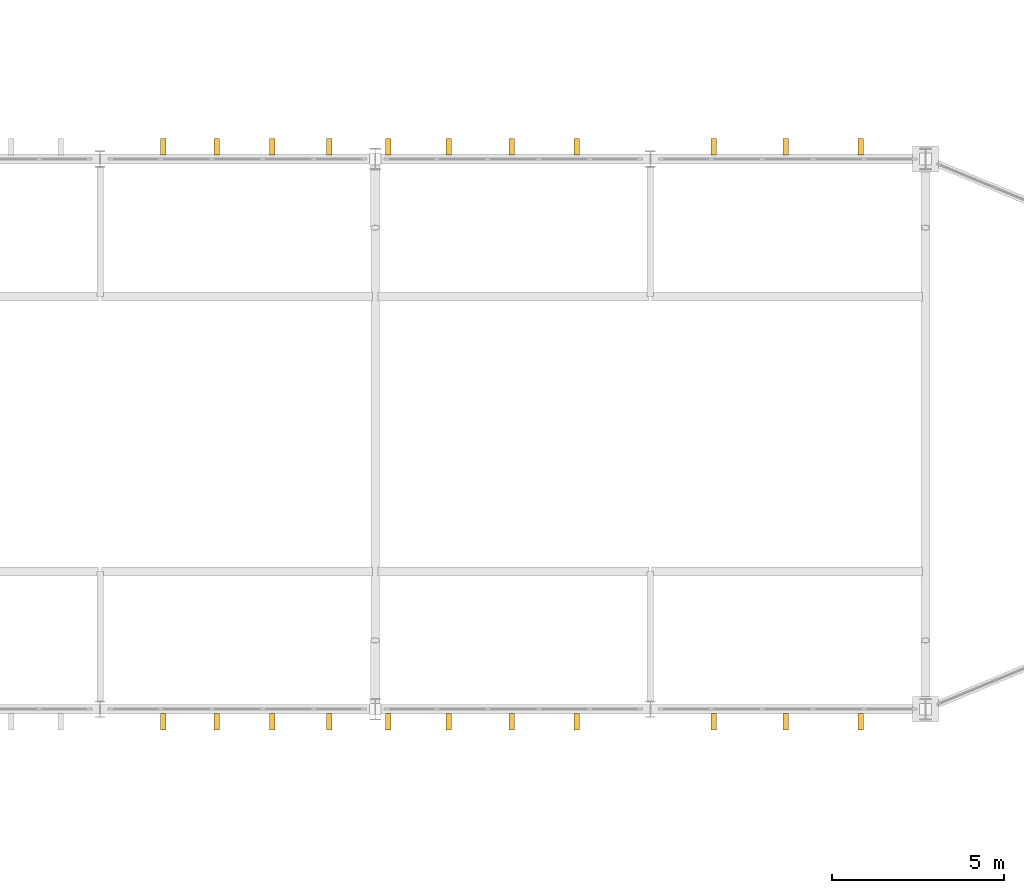
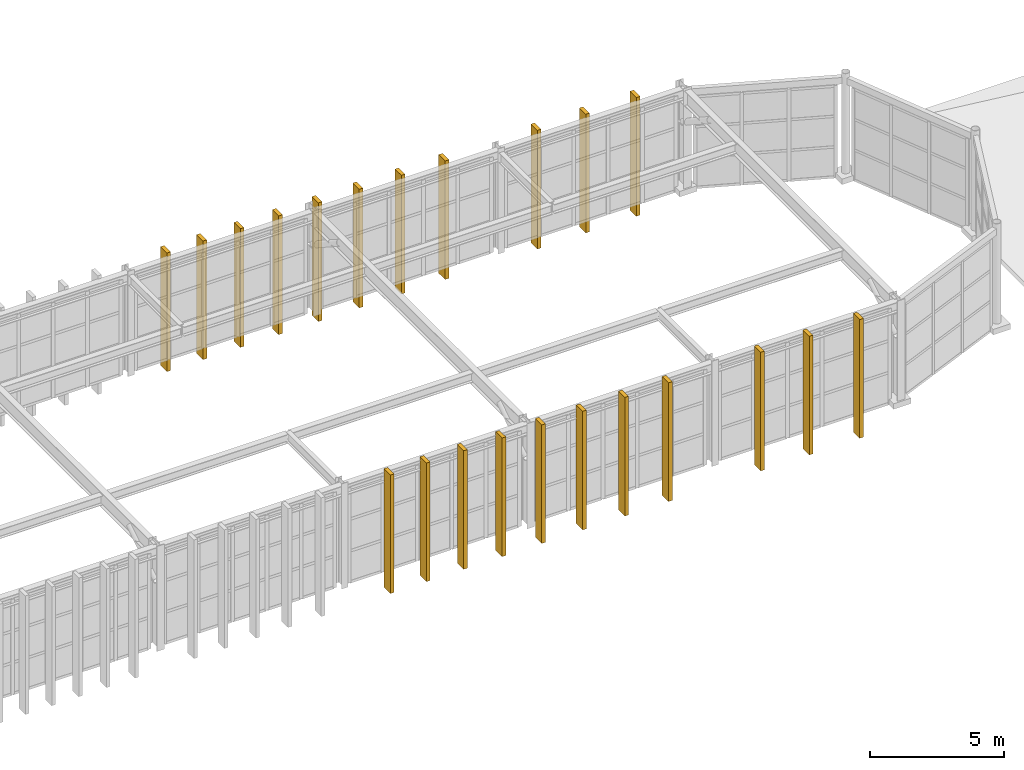
# One storey, part 61 of 61: 22 coverings.
"""IFC4 building model written with IfcOpenShell, lengths in metres."""

from ifc_helpers import new_model, si_unit, direction, frame, origin, origin_2d, place, context, subcontext, project, spatial, rectangle, extrude, material, layer, layer_set, type_object, element, save


model = new_model("IFC4")

# Units and contexts
model_context = context("Model", 3, precision=1e-05, world=origin(), true_north=direction((0.0, 1.0)))
body_context = subcontext(model_context, "Body", "Model", "MODEL_VIEW")
ifc_project = project(units=[si_unit("LENGTHUNIT", "METRE"), si_unit("AREAUNIT", "SQUARE_METRE"), si_unit("VOLUMEUNIT", "CUBIC_METRE"), si_unit("PLANEANGLEUNIT", "RADIAN"), si_unit("MASSUNIT", "GRAM", prefix="KILO")], contexts=[model_context])

# Site, building, storey
site_placement = place(None, origin())
site = spatial("IfcSite", under=ifc_project, at=site_placement, CompositionType="ELEMENT")
building_placement = place(site_placement, origin())
building = spatial("IfcBuilding", under=site, at=building_placement, Name="Serraluz Foothill Cableway Terminal", CompositionType="ELEMENT")
storey_placement = place(building_placement, frame((0.0, 0.0, 15.0)))
storey = spatial("IfcBuildingStorey", under=building, at=storey_placement, Name="L03", CompositionType="ELEMENT", Elevation=15.0)

# Coverings
ifc_material = material(Name="Architectural bronze alloy C28000", Category="aluminium")
ifc_layer = layer(ifc_material, 0.159912109375, Name="Architectural bronze alloy C28000", Category="aluminium")
ifc_layer_set = layer_set([ifc_layer], Name="Architectural bronze alloy C28000")
covering_type = type_object("IfcCoveringType", Name="TYP-COV-SLAT-480", PredefinedType="CLADDING", material=ifc_layer_set)
for number, where, z_axis, x_axis, name in (
    (1, (129.837890625, 55.639892578125, -0.64990234375), (0.0, 0.0, 1.0), (1.0, 0.0, 0.0), "Graduated Upper Vertical Facade Slat S-0127"),
    (2, (131.398681640625, 55.639892578125, -0.64990234375), (0.0, 0.0, 1.0), (1.0, 0.0, 0.0), "Graduated Upper Vertical Facade Slat S-0128"),
    (3, (133.006591796875, 55.639892578125, -0.64990234375), (0.0, 0.0, 1.0), (1.0, 0.0, 0.0), "Graduated Upper Vertical Facade Slat S-0129"),
    (4, (134.664794921875, 55.639892578125, -0.64990234375), (0.0, 0.0, 1.0), (1.0, 0.0, 0.0), "Graduated Upper Vertical Facade Slat S-0130"),
    (5, (136.37548828125, 55.639892578125, -0.64990234375), (0.0, 0.0, 1.0), (1.0, 0.0, 0.0), "Graduated Upper Vertical Facade Slat S-0131"),
    (6, (138.142333984375, 55.639892578125, -0.64990234375), (0.0, 0.0, 1.0), (1.0, 0.0, 0.0), "Graduated Upper Vertical Facade Slat S-0132"),
    (7, (139.968017578125, 55.639892578125, -0.64990234375), (0.0, 0.0, 1.0), (1.0, 0.0, 0.0), "Graduated Upper Vertical Facade Slat S-0133"),
    (8, (141.856201171875, 55.639892578125, -0.64990234375), (0.0, 0.0, 1.0), (1.0, 0.0, 0.0), "Graduated Upper Vertical Facade Slat S-0134"),
    (9, (145.8359375, 55.639892578125, -0.64990234375), (0.0, 0.0, 1.0), (1.0, 0.0, 0.0), "Graduated Upper Vertical Facade Slat S-0135"),
    (10, (147.935791015625, 55.639892578125, -0.64990234375), (0.0, 0.0, 1.0), (1.0, 0.0, 0.0), "Graduated Upper Vertical Facade Slat S-0136"),
    (11, (150.115478515625, 55.639892578125, -0.64990234375), (0.0, 0.0, 1.0), (1.0, 0.0, 0.0), "Graduated Upper Vertical Facade Slat S-0137"),
    (12, (129.837890625, 72.360107421875, -0.64990234375), (0.0, 0.0, 1.0), (1.0, 0.0, 0.0), "Graduated Upper Vertical Facade Slat N-0264"),
    (13, (131.398681640625, 72.360107421875, -0.64990234375), (0.0, 0.0, 1.0), (1.0, 0.0, 0.0), "Graduated Upper Vertical Facade Slat N-0265"),
    (14, (133.006591796875, 72.360107421875, -0.64990234375), (0.0, 0.0, 1.0), (1.0, 0.0, 0.0), "Graduated Upper Vertical Facade Slat N-0266"),
    (15, (134.664794921875, 72.360107421875, -0.64990234375), (0.0, 0.0, 1.0), (1.0, 0.0, 0.0), "Graduated Upper Vertical Facade Slat N-0267"),
    (16, (136.37548828125, 72.360107421875, -0.64990234375), (0.0, 0.0, 1.0), (1.0, 0.0, 0.0), "Graduated Upper Vertical Facade Slat N-0268"),
    (17, (138.142333984375, 72.360107421875, -0.64990234375), (0.0, 0.0, 1.0), (1.0, 0.0, 0.0), "Graduated Upper Vertical Facade Slat N-0269"),
    (18, (139.968017578125, 72.360107421875, -0.64990234375), (0.0, 0.0, 1.0), (1.0, 0.0, 0.0), "Graduated Upper Vertical Facade Slat N-0270"),
    (19, (141.856201171875, 72.360107421875, -0.64990234375), (0.0, 0.0, 1.0), (1.0, 0.0, 0.0), "Graduated Upper Vertical Facade Slat N-0271"),
    (20, (145.8359375, 72.360107421875, -0.64990234375), (0.0, 0.0, 1.0), (1.0, 0.0, 0.0), "Graduated Upper Vertical Facade Slat N-0272"),
    (21, (147.935791015625, 72.360107421875, -0.64990234375), (0.0, 0.0, 1.0), (1.0, 0.0, 0.0), "Graduated Upper Vertical Facade Slat N-0273"),
    (22, (150.115478515625, 72.360107421875, -0.64990234375), (0.0, 0.0, 1.0), (1.0, 0.0, 0.0), "Graduated Upper Vertical Facade Slat N-0274"),
):
    element("IfcCovering", number, at=place(storey_placement, frame(where, z_axis=z_axis, x_axis=x_axis)), inside=storey, type_object=covering_type, Name=name, PredefinedType="CLADDING", context=body_context, shape_type="SweptSolid", body=[
        extrude(rectangle(XDim=0.159912109375, YDim=0.47998046875, at=origin_2d()), origin(), (0.0, 0.0, 1.0), 5.419921875),
    ])

save(model, "model.ifc")
